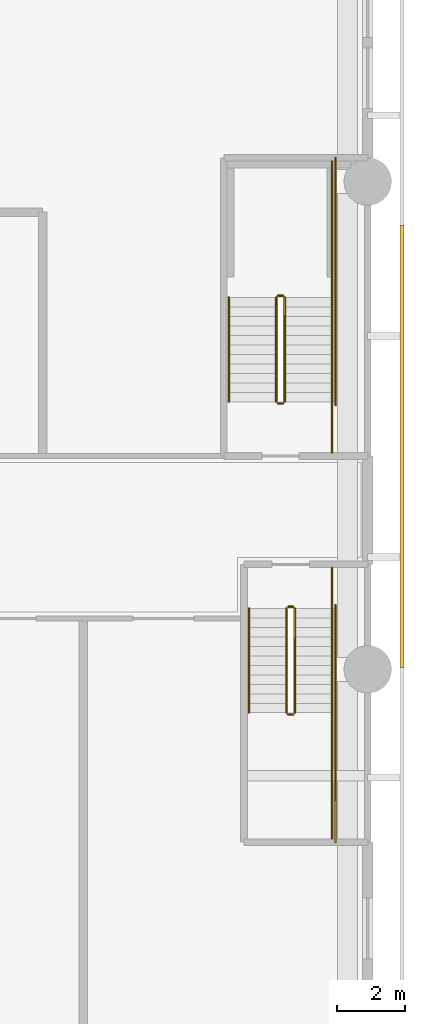
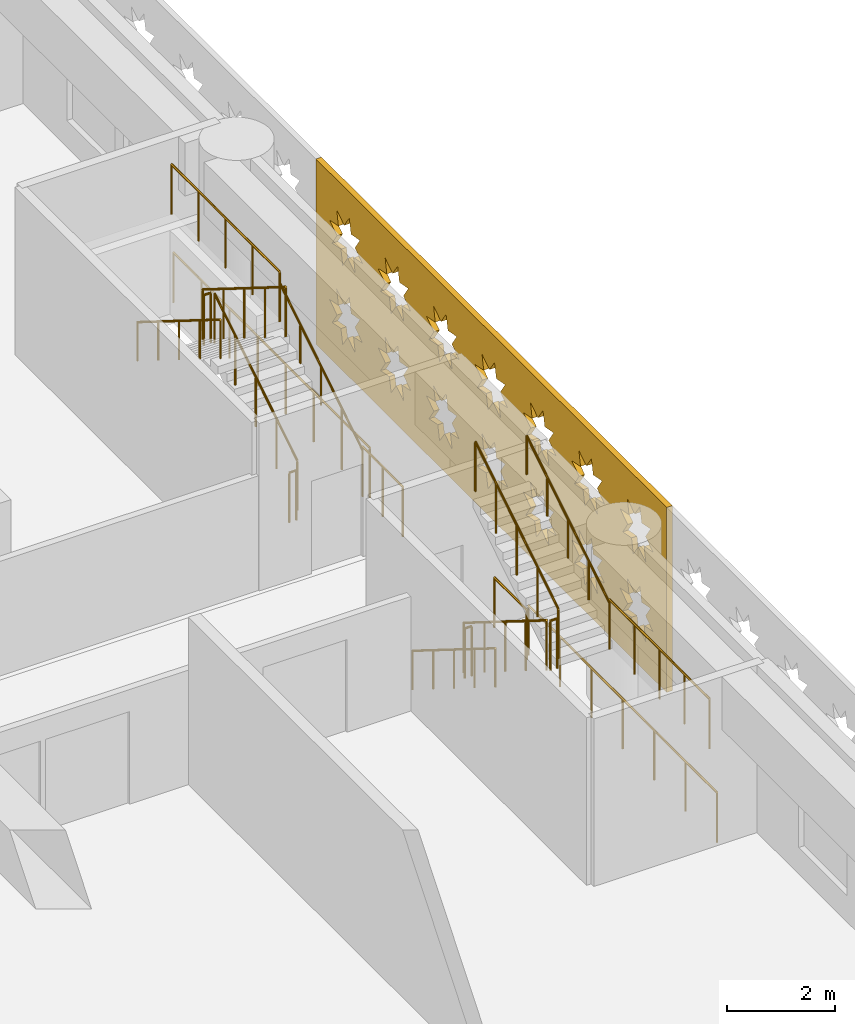
# One storey, part 18 of 24: 18 railings, 1 covering.
"""IFC4 building model written with IfcOpenShell, lengths in metres."""

from ifc_helpers import new_model, si_unit, direction, frame, origin, origin_2d, place, context, subcontext, project, spatial, polyline, circle, outline, extrude, material, layer, layer_set, type_object, element, save


model = new_model("IFC4")

# Units and contexts
model_context = context("Model", 3, precision=1e-05, world=origin(), true_north=direction((0.0, 1.0)))
body_context = subcontext(model_context, "Body", "Model", "MODEL_VIEW")
ifc_project = project(units=[si_unit("LENGTHUNIT", "METRE"), si_unit("AREAUNIT", "SQUARE_METRE"), si_unit("VOLUMEUNIT", "CUBIC_METRE"), si_unit("PLANEANGLEUNIT", "RADIAN"), si_unit("MASSUNIT", "GRAM", prefix="KILO")], contexts=[model_context])

# Site, building, storey
site_placement = place(None, origin())
site = spatial("IfcSite", under=ifc_project, at=site_placement, CompositionType="ELEMENT")
building_placement = place(site_placement, origin())
building = spatial("IfcBuilding", under=site, at=building_placement, Name="Saffron Iwan Residences", CompositionType="ELEMENT")
storey_placement = place(building_placement, frame((0.0, 0.0, 13.199951171875)))
storey = spatial("IfcBuildingStorey", under=building, at=storey_placement, Name="L02", CompositionType="ELEMENT", Elevation=13.199951171875)

# Covering
ifc_material_1 = material(Name="Terracotta screen, precast concrete C40/50", Category="masonry")
ifc_layer = layer(ifc_material_1, 0.1201171875)
ifc_layer_set = layer_set([ifc_layer], Name="Terracotta screen, precast concrete C40/50")
covering_type = type_object("IfcCoveringType", Name="PODIUM SCREEN GIRIH", PredefinedType="CLADDING", material=ifc_layer_set)
covering_placement = place(storey_placement, frame((101.75, 48.06005859375, -0.39990234375), z_axis=(1.0, 0.0, 0.0), x_axis=(0.0, 1.0, 0.0)))
element("IfcCovering", 1, at=covering_placement, inside=storey, type_object=covering_type, Name="SCREEN girih terracotta L02 F1.3", PredefinedType="CLADDING", context=body_context, shape_type="SweptSolid", body=[
    extrude(outline(polyline([(0.0, 0.0), (13.03662109375, 0.0), (13.03662109375, 4.199951171875), (0.0, 4.199951171875), (0.0, 0.0)]), holes=[polyline([(1.726318359375, 1.321044921875), (1.40087890625, 1.388916015625), (1.462890625, 1.715576171875), (1.184814453125, 1.533447265625), (0.997314453125, 1.80810546875), (0.929443359375, 1.482666015625), (0.602783203125, 1.54443359375), (0.784912109375, 1.266357421875), (0.51025390625, 1.0791015625), (0.835693359375, 1.010986328125), (0.77392578125, 0.6845703125), (1.052001953125, 0.866455078125), (1.2392578125, 0.591796875), (1.30712890625, 0.917236328125), (1.6337890625, 0.85546875), (1.451904296875, 1.1337890625), (1.726318359375, 1.321044921875)]), polyline([(1.726318359375, 3.12109375), (1.40087890625, 3.18896484375), (1.462890625, 3.515380859375), (1.184814453125, 3.33349609375), (0.997314453125, 3.608154296875), (0.929443359375, 3.28271484375), (0.602783203125, 3.344482421875), (0.784912109375, 3.06640625), (0.51025390625, 2.87890625), (0.835693359375, 2.81103515625), (0.77392578125, 2.484619140625), (1.052001953125, 2.66650390625), (1.2392578125, 2.391845703125), (1.30712890625, 2.71728515625), (1.6337890625, 2.655517578125), (1.451904296875, 2.93359375), (1.726318359375, 3.12109375)]), polyline([(3.5263671875, 1.321044921875), (3.200927734375, 1.388916015625), (3.2626953125, 1.715576171875), (2.984619140625, 1.533447265625), (2.79736328125, 1.80810546875), (2.7294921875, 1.482666015625), (2.40283203125, 1.54443359375), (2.5849609375, 1.266357421875), (2.310302734375, 1.0791015625), (2.635498046875, 1.010986328125), (2.573974609375, 0.6845703125), (2.85205078125, 0.866455078125), (3.039306640625, 0.591796875), (3.107177734375, 0.917236328125), (3.433837890625, 0.85546875), (3.251708984375, 1.1337890625), (3.5263671875, 1.321044921875)]), polyline([(3.5263671875, 3.12109375), (3.200927734375, 3.18896484375), (3.2626953125, 3.515380859375), (2.984619140625, 3.33349609375), (2.79736328125, 3.608154296875), (2.7294921875, 3.28271484375), (2.40283203125, 3.344482421875), (2.5849609375, 3.06640625), (2.310302734375, 2.87890625), (2.635498046875, 2.81103515625), (2.573974609375, 2.484619140625), (2.85205078125, 2.66650390625), (3.039306640625, 2.391845703125), (3.107177734375, 2.71728515625), (3.433837890625, 2.655517578125), (3.251708984375, 2.93359375), (3.5263671875, 3.12109375)]), polyline([(5.326416015625, 1.321044921875), (5.0009765625, 1.388916015625), (5.062744140625, 1.715576171875), (4.78466796875, 1.533447265625), (4.597412109375, 1.80810546875), (4.529296875, 1.482666015625), (4.202880859375, 1.54443359375), (4.385009765625, 1.266357421875), (4.110107421875, 1.0791015625), (4.435546875, 1.010986328125), (4.373779296875, 0.6845703125), (4.652099609375, 0.866455078125), (4.83935546875, 0.591796875), (4.9072265625, 0.917236328125), (5.23388671875, 0.85546875), (5.0517578125, 1.1337890625), (5.326416015625, 1.321044921875)]), polyline([(5.326416015625, 3.12109375), (5.0009765625, 3.18896484375), (5.062744140625, 3.515380859375), (4.78466796875, 3.33349609375), (4.597412109375, 3.608154296875), (4.529296875, 3.28271484375), (4.202880859375, 3.344482421875), (4.385009765625, 3.06640625), (4.110107421875, 2.87890625), (4.435546875, 2.81103515625), (4.373779296875, 2.484619140625), (4.652099609375, 2.66650390625), (4.83935546875, 2.391845703125), (4.9072265625, 2.71728515625), (5.23388671875, 2.655517578125), (5.0517578125, 2.93359375), (5.326416015625, 3.12109375)]), polyline([(7.12646484375, 1.321044921875), (6.801025390625, 1.388916015625), (6.86279296875, 1.715576171875), (6.584716796875, 1.533447265625), (6.3974609375, 1.80810546875), (6.329345703125, 1.482666015625), (6.002685546875, 1.54443359375), (6.184814453125, 1.266357421875), (5.91015625, 1.0791015625), (6.235595703125, 1.010986328125), (6.173828125, 0.6845703125), (6.451904296875, 0.866455078125), (6.639404296875, 0.591796875), (6.707275390625, 0.917236328125), (7.03369140625, 0.85546875), (6.851806640625, 1.1337890625), (7.12646484375, 1.321044921875)]), polyline([(7.12646484375, 3.12109375), (6.801025390625, 3.18896484375), (6.86279296875, 3.515380859375), (6.584716796875, 3.33349609375), (6.3974609375, 3.608154296875), (6.329345703125, 3.28271484375), (6.002685546875, 3.344482421875), (6.184814453125, 3.06640625), (5.91015625, 2.87890625), (6.235595703125, 2.81103515625), (6.173828125, 2.484619140625), (6.451904296875, 2.66650390625), (6.639404296875, 2.391845703125), (6.707275390625, 2.71728515625), (7.03369140625, 2.655517578125), (6.851806640625, 2.93359375), (7.12646484375, 3.12109375)]), polyline([(8.926513671875, 1.321044921875), (8.60107421875, 1.388916015625), (8.662841796875, 1.715576171875), (8.384765625, 1.533447265625), (8.197509765625, 1.80810546875), (8.12939453125, 1.482666015625), (7.802734375, 1.54443359375), (7.98486328125, 1.266357421875), (7.710205078125, 1.0791015625), (8.03564453125, 1.010986328125), (7.973876953125, 0.6845703125), (8.251953125, 0.866455078125), (8.439208984375, 0.591796875), (8.507080078125, 0.917236328125), (8.833740234375, 0.85546875), (8.65185546875, 1.1337890625), (8.926513671875, 1.321044921875)]), polyline([(8.926513671875, 3.12109375), (8.60107421875, 3.18896484375), (8.662841796875, 3.515380859375), (8.384765625, 3.33349609375), (8.197509765625, 3.608154296875), (8.12939453125, 3.28271484375), (7.802734375, 3.344482421875), (7.98486328125, 3.06640625), (7.710205078125, 2.87890625), (8.03564453125, 2.81103515625), (7.973876953125, 2.484619140625), (8.251953125, 2.66650390625), (8.439208984375, 2.391845703125), (8.507080078125, 2.71728515625), (8.833740234375, 2.655517578125), (8.65185546875, 2.93359375), (8.926513671875, 3.12109375)]), polyline([(10.726318359375, 1.321044921875), (10.40087890625, 1.388916015625), (10.462890625, 1.715576171875), (10.184814453125, 1.533447265625), (9.997314453125, 1.80810546875), (9.929443359375, 1.482666015625), (9.602783203125, 1.54443359375), (9.784912109375, 1.266357421875), (9.51025390625, 1.0791015625), (9.835693359375, 1.010986328125), (9.77392578125, 0.6845703125), (10.052001953125, 0.866455078125), (10.2392578125, 0.591796875), (10.30712890625, 0.917236328125), (10.6337890625, 0.85546875), (10.451904296875, 1.1337890625), (10.726318359375, 1.321044921875)]), polyline([(10.726318359375, 3.12109375), (10.40087890625, 3.18896484375), (10.462890625, 3.515380859375), (10.184814453125, 3.33349609375), (9.997314453125, 3.608154296875), (9.929443359375, 3.28271484375), (9.602783203125, 3.344482421875), (9.784912109375, 3.06640625), (9.51025390625, 2.87890625), (9.835693359375, 2.81103515625), (9.77392578125, 2.484619140625), (10.052001953125, 2.66650390625), (10.2392578125, 2.391845703125), (10.30712890625, 2.71728515625), (10.6337890625, 2.655517578125), (10.451904296875, 2.93359375), (10.726318359375, 3.12109375)]), polyline([(12.5263671875, 1.321044921875), (12.200927734375, 1.388916015625), (12.2626953125, 1.715576171875), (11.984619140625, 1.533447265625), (11.79736328125, 1.80810546875), (11.7294921875, 1.482666015625), (11.40283203125, 1.54443359375), (11.5849609375, 1.266357421875), (11.310302734375, 1.0791015625), (11.635498046875, 1.010986328125), (11.573974609375, 0.6845703125), (11.85205078125, 0.866455078125), (12.039306640625, 0.591796875), (12.107177734375, 0.917236328125), (12.433837890625, 0.85546875), (12.251708984375, 1.1337890625), (12.5263671875, 1.321044921875)]), polyline([(12.5263671875, 3.12109375), (12.200927734375, 3.18896484375), (12.2626953125, 3.515380859375), (11.984619140625, 3.33349609375), (11.79736328125, 3.608154296875), (11.7294921875, 3.28271484375), (11.40283203125, 3.344482421875), (11.5849609375, 3.06640625), (11.310302734375, 2.87890625), (11.635498046875, 2.81103515625), (11.573974609375, 2.484619140625), (11.85205078125, 2.66650390625), (12.039306640625, 2.391845703125), (12.107177734375, 2.71728515625), (12.433837890625, 2.655517578125), (12.251708984375, 2.93359375), (12.5263671875, 3.12109375)])]), origin(), (0.0, 0.0, 1.0), 0.1201171875),
])

# Railings
ifc_material_2 = material(Name="Steel S355", Category="steel")
railing_type_1 = type_object("IfcRailingType", Name="Podium stair guard 1150", PredefinedType="GUARDRAIL", material=ifc_material_2)
railing_1_placement = place(storey_placement, frame((98.39990234375, 49.800048828125, 0.175048828125)))
element("IfcRailing", 2, at=railing_1_placement, inside=storey, type_object=railing_type_1, Name="L02 PS2 stair guard 1", PredefinedType="GUARDRAIL", context=body_context, shape_type="SweptSolid", body=[
    extrude(circle(Radius=0.02392578125, at=origin_2d()), frame((0.0, 0.0, 1.1259765625), z_axis=(0.0, -0.847998304005, 0.529998940003), x_axis=(1.0, 0.0, 0.0)), (0.0, 0.0, 1.0), 3.632080078125),
    extrude(circle(Radius=0.02099609375, at=origin_2d()), origin(), (0.0, 0.0, 1.0), 1.101806640625),
    extrude(circle(Radius=0.02099609375, at=origin_2d()), frame((0.0, -0.77001953125, 0.481201171875)), (0.0, 0.0, 1.0), 1.101806640625),
    extrude(circle(Radius=0.02099609375, at=origin_2d()), frame((0.0, -1.5400390625, 0.96240234375)), (0.0, 0.0, 1.0), 1.101806640625),
    extrude(circle(Radius=0.02099609375, at=origin_2d()), frame((0.0, -2.31005859375, 1.44384765625)), (0.0, 0.0, 1.0), 1.101806640625),
    extrude(circle(Radius=0.02099609375, at=origin_2d()), frame((0.0, -3.080078125, 1.925048828125)), (0.0, 0.0, 1.0), 1.101806640625),
])
railing_2_placement = place(storey_placement, frame((98.449951171875, 46.669921875, 2.10009765625)))
element("IfcRailing", 3, at=railing_2_placement, inside=storey, type_object=railing_type_1, Name="L02 PS2 stair guard 2", PredefinedType="GUARDRAIL", context=body_context, shape_type="SweptSolid", body=[
    extrude(circle(Radius=0.02392578125, at=origin_2d()), frame((0.0, 0.0, 1.1259765625), z_axis=(1.0, 0.0, 0.0), x_axis=(0.0, 1.0, 0.0)), (0.0, 0.0, 1.0), 0.150146484375),
    extrude(circle(Radius=0.02099609375, at=origin_2d()), origin(), (0.0, 0.0, 1.0), 1.101806640625),
    extrude(circle(Radius=0.02099609375, at=origin_2d()), frame((0.150146484375, 0.0, 0.0)), (0.0, 0.0, 1.0), 1.101806640625),
])
railing_3_placement = place(storey_placement, frame((99.75, 46.719970703125, 2.10009765625)))
element("IfcRailing", 4, at=railing_3_placement, inside=storey, type_object=railing_type_1, Name="L02 PS2 stair guard 3", PredefinedType="GUARDRAIL", context=body_context, shape_type="SweptSolid", body=[
    extrude(circle(Radius=0.02392578125, at=origin_2d()), frame((0.0, 0.0, 1.1259765625), z_axis=(0.0, -1.0, 0.0), x_axis=(1.0, 0.0, 0.0)), (0.0, 0.0, 1.0), 3.719970703125),
    extrude(circle(Radius=0.02099609375, at=origin_2d()), origin(), (0.0, 0.0, 1.0), 1.101806640625),
    extrude(circle(Radius=0.02099609375, at=origin_2d()), frame((0.0, -0.929931640625, 0.0)), (0.0, 0.0, 1.0), 1.101806640625),
    extrude(circle(Radius=0.02099609375, at=origin_2d()), frame((0.0, -1.85986328125, 0.0)), (0.0, 0.0, 1.0), 1.101806640625),
    extrude(circle(Radius=0.02099609375, at=origin_2d()), frame((0.0, -2.7900390625, 0.0)), (0.0, 0.0, 1.0), 1.101806640625),
    extrude(circle(Radius=0.02099609375, at=origin_2d()), frame((0.0, -3.719970703125, 0.0)), (0.0, 0.0, 1.0), 1.101806640625),
])
railing_4_placement = place(storey_placement, frame((98.64990234375, 46.719970703125, 2.275146484375)))
element("IfcRailing", 5, at=railing_4_placement, inside=storey, type_object=railing_type_1, Name="L02 PS2 stair guard 4", PredefinedType="GUARDRAIL", context=body_context, shape_type="SweptSolid", body=[
    extrude(circle(Radius=0.02392578125, at=origin_2d()), frame((0.0, 0.0, 1.1259765625), z_axis=(0.0, 0.848028513186, 0.529950602248), x_axis=(-1.0, 0.0, 0.0)), (0.0, 0.0, 1.0), 3.632080078125),
    extrude(circle(Radius=0.02099609375, at=origin_2d()), origin(), (0.0, 0.0, 1.0), 1.101806640625),
    extrude(circle(Radius=0.02099609375, at=origin_2d()), frame((0.0, 0.77001953125, 0.481201171875)), (0.0, 0.0, 1.0), 1.101806640625),
    extrude(circle(Radius=0.02099609375, at=origin_2d()), frame((0.0, 1.5400390625, 0.96240234375)), (0.0, 0.0, 1.0), 1.101806640625),
    extrude(circle(Radius=0.02099609375, at=origin_2d()), frame((0.0, 2.31005859375, 1.443603515625)), (0.0, 0.0, 1.0), 1.101806640625),
    extrude(circle(Radius=0.02099609375, at=origin_2d()), frame((0.0, 3.080078125, 1.9248046875)), (0.0, 0.0, 1.0), 1.101806640625),
])
railing_5_placement = place(storey_placement, frame((98.449951171875, 49.85009765625, 0.0)))
element("IfcRailing", 6, at=railing_5_placement, inside=storey, type_object=railing_type_1, Name="L02 PS2 stair guard 5", PredefinedType="GUARDRAIL", context=body_context, shape_type="SweptSolid", body=[
    extrude(circle(Radius=0.02392578125, at=origin_2d()), frame((0.0, 0.0, 1.1259765625), z_axis=(1.0, 0.0, 0.0), x_axis=(0.0, 1.0, 0.0)), (0.0, 0.0, 1.0), 0.150146484375),
    extrude(circle(Radius=0.02099609375, at=origin_2d()), origin(), (0.0, 0.0, 1.0), 1.101806640625),
    extrude(circle(Radius=0.02099609375, at=origin_2d()), frame((0.150146484375, 0.0, 0.0)), (0.0, 0.0, 1.0), 1.101806640625),
])
railing_6_placement = place(storey_placement, frame((99.75, 51.0, 0.0)))
element("IfcRailing", 7, at=railing_6_placement, inside=storey, type_object=railing_type_1, Name="L02 PS2 stair guard 6", PredefinedType="GUARDRAIL", context=body_context, shape_type="SweptSolid", body=[
    extrude(circle(Radius=0.02392578125, at=origin_2d()), frame((0.0, 0.0, 1.1259765625), z_axis=(0.0, -1.0, 0.0), x_axis=(1.0, 0.0, 0.0)), (0.0, 0.0, 1.0), 1.199951171875),
    extrude(circle(Radius=0.02099609375, at=origin_2d()), origin(), (0.0, 0.0, 1.0), 1.101806640625),
    extrude(circle(Radius=0.02099609375, at=origin_2d()), frame((0.0, -1.199951171875, 0.0)), (0.0, 0.0, 1.0), 1.101806640625),
])
railing_7_placement = place(storey_placement, frame((99.85009765625, 49.89990234375, 0.0)))
element("IfcRailing", 8, at=railing_7_placement, inside=storey, type_object=railing_type_1, Name="L02 PS2 stair guard 7", PredefinedType="GUARDRAIL", context=body_context, shape_type="SweptSolid", body=[
    extrude(circle(Radius=0.02392578125, at=origin_2d()), frame((0.0, 0.0, 1.1259765625), z_axis=(0.0, -1.0, 0.0), x_axis=(1.0, 0.0, 0.0)), (0.0, 0.0, 1.0), 7.0),
    extrude(circle(Radius=0.02099609375, at=origin_2d()), origin(), (0.0, 0.0, 1.0), 1.101806640625),
    extrude(circle(Radius=0.02099609375, at=origin_2d()), frame((0.0, -1.166748046875, 0.0)), (0.0, 0.0, 1.0), 1.101806640625),
    extrude(circle(Radius=0.02099609375, at=origin_2d()), frame((0.0, -2.333251953125, 0.0)), (0.0, 0.0, 1.0), 1.101806640625),
    extrude(circle(Radius=0.02099609375, at=origin_2d()), frame((0.0, -3.5, 0.0)), (0.0, 0.0, 1.0), 1.101806640625),
    extrude(circle(Radius=0.02099609375, at=origin_2d()), frame((0.0, -4.666748046875, 0.0)), (0.0, 0.0, 1.0), 1.101806640625),
    extrude(circle(Radius=0.02099609375, at=origin_2d()), frame((0.0, -5.833251953125, 0.0)), (0.0, 0.0, 1.0), 1.101806640625),
    extrude(circle(Radius=0.02099609375, at=origin_2d()), frame((0.0, -7.0, 0.0)), (0.0, 0.0, 1.0), 1.101806640625),
])
railing_8_placement = place(storey_placement, frame((98.35009765625, 55.89990234375, 0.175048828125)))
element("IfcRailing", 9, at=railing_8_placement, inside=storey, type_object=railing_type_1, Name="L02 PS4 stair guard 1", PredefinedType="GUARDRAIL", context=body_context, shape_type="SweptSolid", body=[
    extrude(circle(Radius=0.02392578125, at=origin_2d()), frame((0.0, 0.0, 1.1259765625), z_axis=(0.0, 0.847998304005, 0.529998940003), x_axis=(-1.0, 0.0, 0.0)), (0.0, 0.0, 1.0), 3.632080078125),
    extrude(circle(Radius=0.02099609375, at=origin_2d()), origin(), (0.0, 0.0, 1.0), 1.101806640625),
    extrude(circle(Radius=0.02099609375, at=origin_2d()), frame((0.0, 0.77001953125, 0.481201171875)), (0.0, 0.0, 1.0), 1.101806640625),
    extrude(circle(Radius=0.02099609375, at=origin_2d()), frame((0.0, 1.5400390625, 0.96240234375)), (0.0, 0.0, 1.0), 1.101806640625),
    extrude(circle(Radius=0.02099609375, at=origin_2d()), frame((0.0, 2.31005859375, 1.44384765625)), (0.0, 0.0, 1.0), 1.101806640625),
    extrude(circle(Radius=0.02099609375, at=origin_2d()), frame((0.0, 3.080078125, 1.925048828125)), (0.0, 0.0, 1.0), 1.101806640625),
])
railing_9_placement = place(storey_placement, frame((98.300048828125, 59.030029296875, 2.10009765625)))
element("IfcRailing", 10, at=railing_9_placement, inside=storey, type_object=railing_type_1, Name="L02 PS4 stair guard 2", PredefinedType="GUARDRAIL", context=body_context, shape_type="SweptSolid", body=[
    extrude(circle(Radius=0.02392578125, at=origin_2d()), frame((0.0, 0.0, 1.1259765625), z_axis=(-1.0, 0.0, 0.0), x_axis=(0.0, -1.0, 0.0)), (0.0, 0.0, 1.0), 0.150146484375),
    extrude(circle(Radius=0.02099609375, at=origin_2d()), origin(), (0.0, 0.0, 1.0), 1.101806640625),
    extrude(circle(Radius=0.02099609375, at=origin_2d()), frame((-0.150146484375, 0.0, 0.0)), (0.0, 0.0, 1.0), 1.101806640625),
])
railing_10_placement = place(storey_placement, frame((99.75, 58.97998046875, 2.10009765625)))
element("IfcRailing", 11, at=railing_10_placement, inside=storey, type_object=railing_type_1, Name="L02 PS4 stair guard 3", PredefinedType="GUARDRAIL", context=body_context, shape_type="SweptSolid", body=[
    extrude(circle(Radius=0.02392578125, at=origin_2d()), frame((0.0, 0.0, 1.1259765625), z_axis=(0.0, 1.0, 0.0), x_axis=(-1.0, 0.0, 0.0)), (0.0, 0.0, 1.0), 4.02001953125),
    extrude(circle(Radius=0.02099609375, at=origin_2d()), origin(), (0.0, 0.0, 1.0), 1.101806640625),
    extrude(circle(Radius=0.02099609375, at=origin_2d()), frame((0.0, 1.0048828125, 0.0)), (0.0, 0.0, 1.0), 1.101806640625),
    extrude(circle(Radius=0.02099609375, at=origin_2d()), frame((0.0, 2.010009765625, 0.0)), (0.0, 0.0, 1.0), 1.101806640625),
    extrude(circle(Radius=0.02099609375, at=origin_2d()), frame((0.0, 3.01513671875, 0.0)), (0.0, 0.0, 1.0), 1.101806640625),
    extrude(circle(Radius=0.02099609375, at=origin_2d()), frame((0.0, 4.02001953125, 0.0)), (0.0, 0.0, 1.0), 1.101806640625),
])
railing_11_placement = place(storey_placement, frame((98.10009765625, 58.97998046875, 2.275146484375)))
element("IfcRailing", 12, at=railing_11_placement, inside=storey, type_object=railing_type_1, Name="L02 PS4 stair guard 4", PredefinedType="GUARDRAIL", context=body_context, shape_type="SweptSolid", body=[
    extrude(circle(Radius=0.02392578125, at=origin_2d()), frame((0.0, 0.0, 1.1259765625), z_axis=(0.0, -0.848028513186, 0.529950602248), x_axis=(1.0, 0.0, 0.0)), (0.0, 0.0, 1.0), 3.632080078125),
    extrude(circle(Radius=0.02099609375, at=origin_2d()), origin(), (0.0, 0.0, 1.0), 1.101806640625),
    extrude(circle(Radius=0.02099609375, at=origin_2d()), frame((0.0, -0.77001953125, 0.481201171875)), (0.0, 0.0, 1.0), 1.101806640625),
    extrude(circle(Radius=0.02099609375, at=origin_2d()), frame((0.0, -1.5400390625, 0.96240234375)), (0.0, 0.0, 1.0), 1.101806640625),
    extrude(circle(Radius=0.02099609375, at=origin_2d()), frame((0.0, -2.31005859375, 1.443603515625)), (0.0, 0.0, 1.0), 1.101806640625),
    extrude(circle(Radius=0.02099609375, at=origin_2d()), frame((0.0, -3.080078125, 1.9248046875)), (0.0, 0.0, 1.0), 1.101806640625),
])
railing_12_placement = place(storey_placement, frame((98.300048828125, 55.85009765625, 0.0)))
element("IfcRailing", 13, at=railing_12_placement, inside=storey, type_object=railing_type_1, Name="L02 PS4 stair guard 5", PredefinedType="GUARDRAIL", context=body_context, shape_type="SweptSolid", body=[
    extrude(circle(Radius=0.02392578125, at=origin_2d()), frame((0.0, 0.0, 1.1259765625), z_axis=(-1.0, 0.0, 0.0), x_axis=(0.0, -1.0, 0.0)), (0.0, 0.0, 1.0), 0.150146484375),
    extrude(circle(Radius=0.02099609375, at=origin_2d()), origin(), (0.0, 0.0, 1.0), 1.101806640625),
    extrude(circle(Radius=0.02099609375, at=origin_2d()), frame((-0.150146484375, 0.0, 0.0)), (0.0, 0.0, 1.0), 1.101806640625),
])
railing_13_placement = place(storey_placement, frame((99.75, 54.39990234375, 0.0)))
element("IfcRailing", 14, at=railing_13_placement, inside=storey, type_object=railing_type_1, Name="L02 PS4 stair guard 6", PredefinedType="GUARDRAIL", context=body_context, shape_type="SweptSolid", body=[
    extrude(circle(Radius=0.02392578125, at=origin_2d()), frame((0.0, 0.0, 1.1259765625), z_axis=(0.0, 1.0, 0.0), x_axis=(-1.0, 0.0, 0.0)), (0.0, 0.0, 1.0), 1.5),
    extrude(circle(Radius=0.02099609375, at=origin_2d()), origin(), (0.0, 0.0, 1.0), 1.101806640625),
    extrude(circle(Radius=0.02099609375, at=origin_2d()), frame((0.0, 0.75, 0.0)), (0.0, 0.0, 1.0), 1.101806640625),
    extrude(circle(Radius=0.02099609375, at=origin_2d()), frame((0.0, 1.5, 0.0)), (0.0, 0.0, 1.0), 1.101806640625),
])
railing_14_placement = place(storey_placement, frame((99.85009765625, 55.800048828125, 0.0)))
element("IfcRailing", 15, at=railing_14_placement, inside=storey, type_object=railing_type_1, Name="L02 PS4 stair guard 7", PredefinedType="GUARDRAIL", context=body_context, shape_type="SweptSolid", body=[
    extrude(circle(Radius=0.02392578125, at=origin_2d()), frame((0.0, 0.0, 1.1259765625), z_axis=(0.0, 1.0, 0.0), x_axis=(-1.0, 0.0, 0.0)), (0.0, 0.0, 1.0), 7.300048828125),
    extrude(circle(Radius=0.02099609375, at=origin_2d()), origin(), (0.0, 0.0, 1.0), 1.101806640625),
    extrude(circle(Radius=0.02099609375, at=origin_2d()), frame((0.0, 1.04296875, 0.0)), (0.0, 0.0, 1.0), 1.101806640625),
    extrude(circle(Radius=0.02099609375, at=origin_2d()), frame((0.0, 2.085693359375, 0.0)), (0.0, 0.0, 1.0), 1.101806640625),
    extrude(circle(Radius=0.02099609375, at=origin_2d()), frame((0.0, 3.128662109375, 0.0)), (0.0, 0.0, 1.0), 1.101806640625),
    extrude(circle(Radius=0.02099609375, at=origin_2d()), frame((0.0, 4.17138671875, 0.0)), (0.0, 0.0, 1.0), 1.101806640625),
    extrude(circle(Radius=0.02099609375, at=origin_2d()), frame((0.0, 5.21435546875, 0.0)), (0.0, 0.0, 1.0), 1.101806640625),
    extrude(circle(Radius=0.02099609375, at=origin_2d()), frame((0.0, 6.257080078125, 0.0)), (0.0, 0.0, 1.0), 1.101806640625),
    extrude(circle(Radius=0.02099609375, at=origin_2d()), frame((0.0, 7.300048828125, 0.0)), (0.0, 0.0, 1.0), 1.101806640625),
])
railing_type_2 = type_object("IfcRailingType", Name="Podium stair handrail 900", PredefinedType="HANDRAIL", material=ifc_material_2)
railing_15_placement = place(storey_placement, frame((97.300048828125, 49.800048828125, 0.175048828125)))
element("IfcRailing", 16, at=railing_15_placement, inside=storey, type_object=railing_type_2, Name="L02 PS2 stair handrail 1", PredefinedType="HANDRAIL", context=body_context, shape_type="SweptSolid", body=[
    extrude(circle(Radius=0.02392578125, at=origin_2d()), frame((0.0, 0.0, 0.8759765625), z_axis=(0.0, -0.847998304005, 0.529998940003), x_axis=(1.0, 0.0, 0.0)), (0.0, 0.0, 1.0), 3.632080078125),
    extrude(circle(Radius=0.02099609375, at=origin_2d()), origin(), (0.0, 0.0, 1.0), 0.851806640625),
    extrude(circle(Radius=0.02099609375, at=origin_2d()), frame((0.0, -0.77001953125, 0.481201171875)), (0.0, 0.0, 1.0), 0.851806640625),
    extrude(circle(Radius=0.02099609375, at=origin_2d()), frame((0.0, -1.5400390625, 0.96240234375)), (0.0, 0.0, 1.0), 0.851806640625),
    extrude(circle(Radius=0.02099609375, at=origin_2d()), frame((0.0, -2.31005859375, 1.44384765625)), (0.0, 0.0, 1.0), 0.851806640625),
    extrude(circle(Radius=0.02099609375, at=origin_2d()), frame((0.0, -3.080078125, 1.925048828125)), (0.0, 0.0, 1.0), 0.851806640625),
])
railing_16_placement = place(storey_placement, frame((99.75, 46.719970703125, 2.275146484375)))
element("IfcRailing", 17, at=railing_16_placement, inside=storey, type_object=railing_type_2, Name="L02 PS2 stair handrail 2", PredefinedType="HANDRAIL", context=body_context, shape_type="SweptSolid", body=[
    extrude(circle(Radius=0.02392578125, at=origin_2d()), frame((0.0, 0.0, 0.8759765625), z_axis=(0.0, 0.848028513186, 0.529950602248), x_axis=(-1.0, 0.0, 0.0)), (0.0, 0.0, 1.0), 3.632080078125),
    extrude(circle(Radius=0.02099609375, at=origin_2d()), origin(), (0.0, 0.0, 1.0), 0.851806640625),
    extrude(circle(Radius=0.02099609375, at=origin_2d()), frame((0.0, 0.77001953125, 0.481201171875)), (0.0, 0.0, 1.0), 0.851806640625),
    extrude(circle(Radius=0.02099609375, at=origin_2d()), frame((0.0, 1.5400390625, 0.96240234375)), (0.0, 0.0, 1.0), 0.851806640625),
    extrude(circle(Radius=0.02099609375, at=origin_2d()), frame((0.0, 2.31005859375, 1.443603515625)), (0.0, 0.0, 1.0), 0.851806640625),
    extrude(circle(Radius=0.02099609375, at=origin_2d()), frame((0.0, 3.080078125, 1.9248046875)), (0.0, 0.0, 1.0), 0.851806640625),
])
railing_17_placement = place(storey_placement, frame((99.75, 55.89990234375, 0.175048828125)))
element("IfcRailing", 18, at=railing_17_placement, inside=storey, type_object=railing_type_2, Name="L02 PS4 stair handrail 1", PredefinedType="HANDRAIL", context=body_context, shape_type="SweptSolid", body=[
    extrude(circle(Radius=0.02392578125, at=origin_2d()), frame((0.0, 0.0, 0.8759765625), z_axis=(0.0, 0.847998304005, 0.529998940003), x_axis=(-1.0, 0.0, 0.0)), (0.0, 0.0, 1.0), 3.632080078125),
    extrude(circle(Radius=0.02099609375, at=origin_2d()), origin(), (0.0, 0.0, 1.0), 0.851806640625),
    extrude(circle(Radius=0.02099609375, at=origin_2d()), frame((0.0, 0.77001953125, 0.481201171875)), (0.0, 0.0, 1.0), 0.851806640625),
    extrude(circle(Radius=0.02099609375, at=origin_2d()), frame((0.0, 1.5400390625, 0.96240234375)), (0.0, 0.0, 1.0), 0.851806640625),
    extrude(circle(Radius=0.02099609375, at=origin_2d()), frame((0.0, 2.31005859375, 1.44384765625)), (0.0, 0.0, 1.0), 0.851806640625),
    extrude(circle(Radius=0.02099609375, at=origin_2d()), frame((0.0, 3.080078125, 1.925048828125)), (0.0, 0.0, 1.0), 0.851806640625),
])
railing_18_placement = place(storey_placement, frame((96.699951171875, 58.97998046875, 2.275146484375)))
element("IfcRailing", 19, at=railing_18_placement, inside=storey, type_object=railing_type_2, Name="L02 PS4 stair handrail 2", PredefinedType="HANDRAIL", context=body_context, shape_type="SweptSolid", body=[
    extrude(circle(Radius=0.02392578125, at=origin_2d()), frame((0.0, 0.0, 0.8759765625), z_axis=(0.0, -0.848028513186, 0.529950602248), x_axis=(1.0, 0.0, 0.0)), (0.0, 0.0, 1.0), 3.632080078125),
    extrude(circle(Radius=0.02099609375, at=origin_2d()), origin(), (0.0, 0.0, 1.0), 0.851806640625),
    extrude(circle(Radius=0.02099609375, at=origin_2d()), frame((0.0, -0.77001953125, 0.481201171875)), (0.0, 0.0, 1.0), 0.851806640625),
    extrude(circle(Radius=0.02099609375, at=origin_2d()), frame((0.0, -1.5400390625, 0.96240234375)), (0.0, 0.0, 1.0), 0.851806640625),
    extrude(circle(Radius=0.02099609375, at=origin_2d()), frame((0.0, -2.31005859375, 1.443603515625)), (0.0, 0.0, 1.0), 0.851806640625),
    extrude(circle(Radius=0.02099609375, at=origin_2d()), frame((0.0, -3.080078125, 1.9248046875)), (0.0, 0.0, 1.0), 0.851806640625),
])

save(model, "model.ifc")
